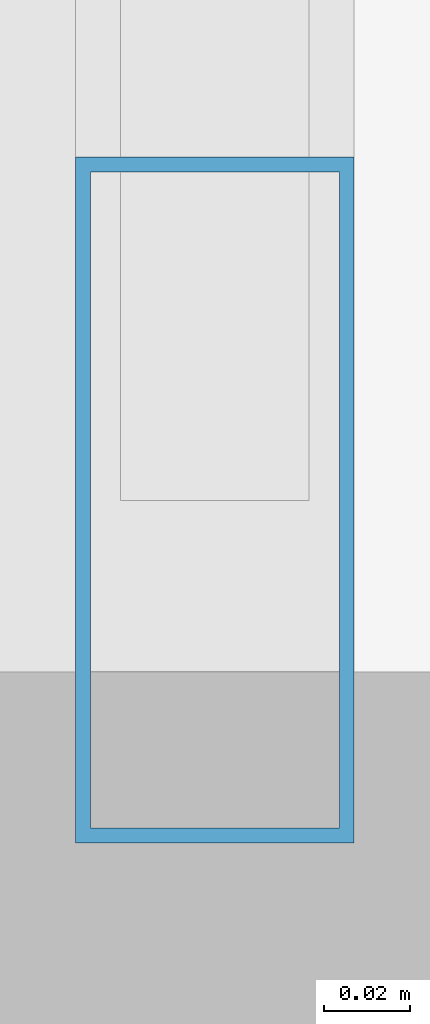
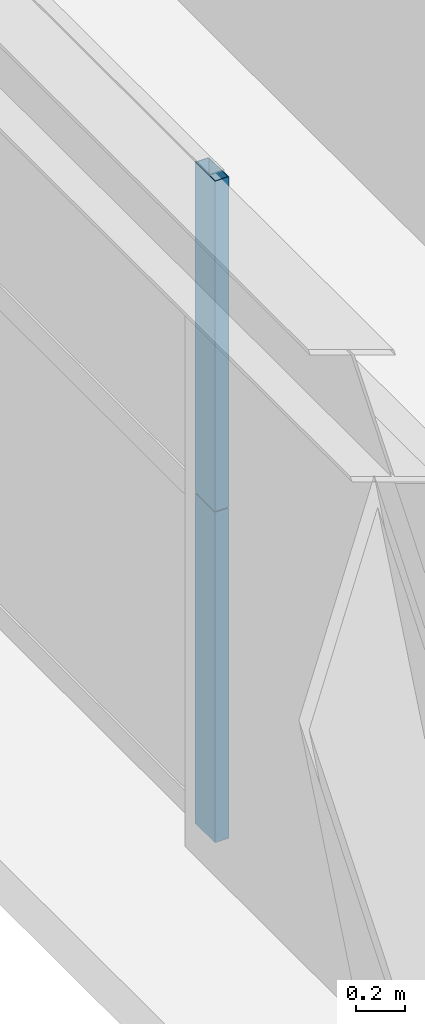
# One storey, part 8 of 45: 2 members, 1 element without a shape of its own.
"""IFC4 building model written with IfcOpenShell, lengths in metres."""

from ifc_helpers import new_model, si_unit, direction, frame, origin, origin_2d, place, context, subcontext, project, spatial, hollow_rectangle, extrude, source, transform, mapped, material, layer, layer_set, material_profile, profile_set, type_object, element, aggregate, save


model = new_model("IFC4")

# Units and contexts
model_context = context("Model", 3, precision=1e-05, world=origin(), true_north=direction((0.0, 1.0)))
body_context = subcontext(model_context, "Body", "Model", "MODEL_VIEW")
ifc_project = project(units=[si_unit("LENGTHUNIT", "METRE"), si_unit("AREAUNIT", "SQUARE_METRE"), si_unit("VOLUMEUNIT", "CUBIC_METRE"), si_unit("PLANEANGLEUNIT", "RADIAN"), si_unit("MASSUNIT", "GRAM", prefix="KILO"), si_unit("THERMODYNAMICTEMPERATUREUNIT", "KELVIN"), si_unit("POWERUNIT", "WATT")], contexts=[model_context])

# Site, building, storey
site_placement = place(None, origin())
site = spatial("IfcSite", under=ifc_project, at=site_placement, CompositionType="ELEMENT")
building_placement = place(site_placement, origin())
building = spatial("IfcBuilding", under=site, at=building_placement, Name="Yuzanri Waterfront Tower", CompositionType="ELEMENT")
storey_placement = place(building_placement, frame((0.0, 0.0, 198.5)))
storey = spatial("IfcBuildingStorey", under=building, at=storey_placement, Name="L52", CompositionType="ELEMENT", Elevation=198.5)

# Curtain wall, members
ifc_material_1 = material(Name="Anodized Architectural Bronze", Category="metal")
ifc_layer = layer(ifc_material_1, 0.159912109375)
ifc_layer_set = layer_set([ifc_layer], Name="Anodized Architectural Bronze")
curtain_wall_type = type_object("IfcCurtainWallType", Name="Anodized Bronze Mid-Rise Residential Acoustic Unitized Curtain Wall 7200", PredefinedType="NOTDEFINED", material=ifc_layer_set)
curtain_wall_placement = place(storey_placement, origin())
curtain_wall = element("IfcCurtainWall", 1, at=curtain_wall_placement, inside=storey, type_object=curtain_wall_type, Name="L52 Curtain Wall CW-L52-WL", PredefinedType="NOTDEFINED")
ifc_material_2 = material(Name="Anodized Architectural Bronze", Category="metal")
ifc_material_profile = material_profile(ifc_material_2, hollow_rectangle(XDim=0.06494140625, YDim=0.159912109375, WallThickness=0.00341796875, at=origin_2d()), Name="CWM 65x160")
ifc_profile_set = profile_set([ifc_material_profile], Name="Anodized Architectural Bronze")
member_type = type_object("IfcMemberType", Name="Anodized Bronze Upper-Zone Curtain-Wall Mullion 65x160", PredefinedType="MULLION", material=ifc_profile_set)
shared_shape = source(origin(), body_context, "Body", "SweptSolid", [
    extrude(hollow_rectangle(XDim=0.06494140625, YDim=0.159912109375, WallThickness=0.00341796875, at=origin_2d()), origin(), (0.0, 0.0, 1.0), 1.637939453125),
])
member_1_placement = place(storey_placement, frame((15.050048828125, 11.090087890625, 0.0), z_axis=(0.0, 0.0, 1.0), x_axis=(1.0, 0.0, 0.0)))
member_1 = element("IfcMember", 2, at=member_1_placement, type_object=member_type, Name="CW-L52-WL Lower Mullion 00", PredefinedType="MULLION", context=body_context, shape_type="MappedRepresentation", body=[
    mapped(shared_shape, transform((0.0, 0.0, 0.0), scale=1.0)),
])
member_2_placement = place(storey_placement, frame((15.050048828125, 11.090087890625, 1.64208984375), z_axis=(0.0, 0.0, 1.0), x_axis=(1.0, 0.0, 0.0)))
member_2 = element("IfcMember", 3, at=member_2_placement, type_object=member_type, Name="CW-L52-WL Upper Mullion 00", PredefinedType="MULLION", context=body_context, shape_type="MappedRepresentation", body=[
    mapped(shared_shape, transform((0.0, 0.0, 0.0), scale=1.0)),
])
aggregate(curtain_wall, [member_1, member_2])

save(model, "model.ifc")
